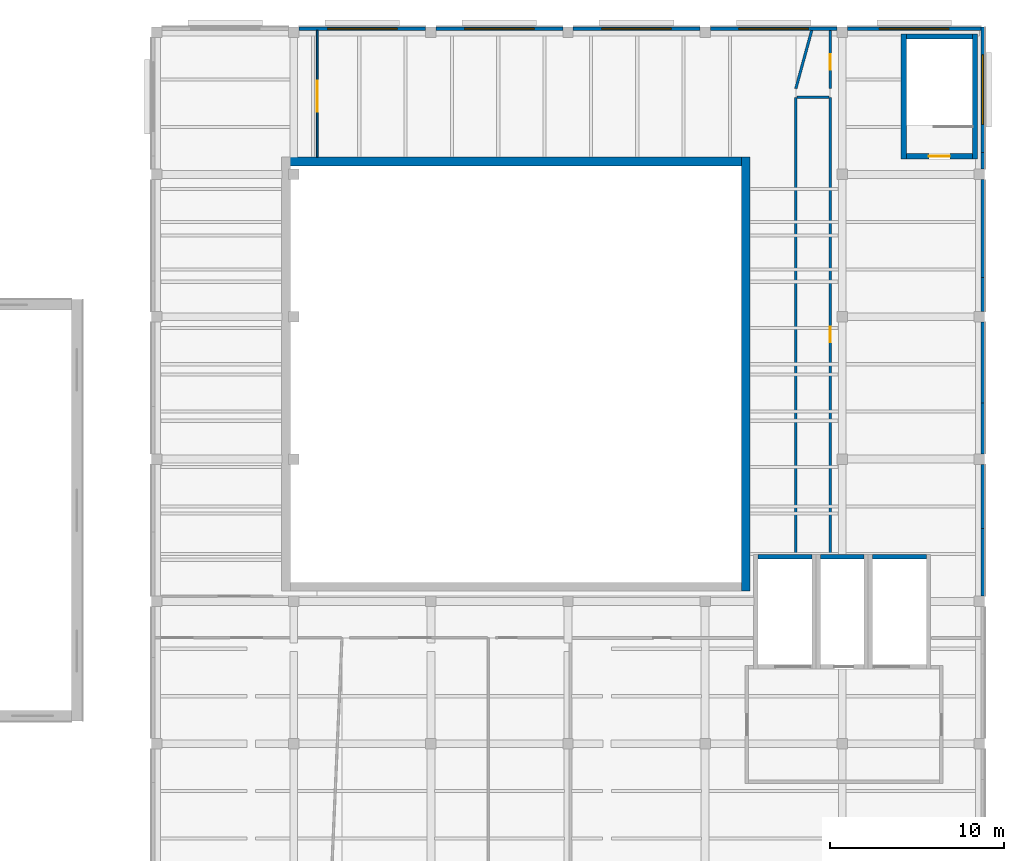
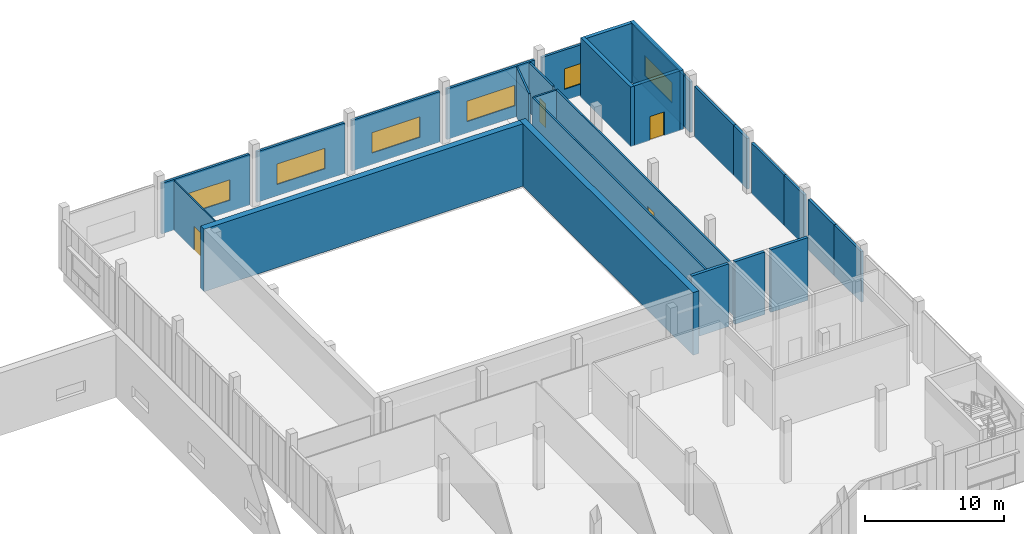
# One storey, part 46 of 87: 28 walls, 6 windows, 4 doors, 10 openings.
"""IFC4 building model written with IfcOpenShell, lengths in metres."""

from ifc_helpers import new_model, si_unit, direction, frame, frame_2d, origin, place, context, subcontext, project, spatial, rectangle, extrude, material, layer, layer_set, type_object, element, fill, save


model = new_model("IFC4")

# Units and contexts
model_context = context("Model", 3, precision=1e-05, world=origin(), true_north=direction((0.0, 1.0)))
body_context = subcontext(model_context, "Body", "Model", "MODEL_VIEW")
ifc_project = project(units=[si_unit("LENGTHUNIT", "METRE"), si_unit("AREAUNIT", "SQUARE_METRE"), si_unit("VOLUMEUNIT", "CUBIC_METRE"), si_unit("PLANEANGLEUNIT", "RADIAN"), si_unit("MASSUNIT", "GRAM", prefix="KILO")], contexts=[model_context])

# Site, building, storey
site_placement = place(None, origin())
site = spatial("IfcSite", under=ifc_project, at=site_placement, CompositionType="ELEMENT")
building_placement = place(site_placement, origin())
building = spatial("IfcBuilding", under=site, at=building_placement, Name="Lunette Opera House", CompositionType="ELEMENT")
storey_placement = place(building_placement, frame((0.0, 0.0, 11.5)))
storey = spatial("IfcBuildingStorey", under=building, at=storey_placement, Name="L02", CompositionType="ELEMENT", Elevation=11.5)

# Wall
ifc_material_1 = material(Name="Plastered clay blockwork", Category="masonry")
ifc_layer_1 = layer(ifc_material_1, 0.14990234375)
ifc_layer_set_1 = layer_set([ifc_layer_1], Name="Plastered clay blockwork")
wall_type_1 = type_object("IfcWallType", Name="BLOCK PARTITION 150", PredefinedType="PARTITIONING", material=ifc_layer_set_1)
wall_1_placement = place(storey_placement, frame((173.1298828125, 131.947021484375, 0.0), z_axis=(0.0, 0.0, 1.0), x_axis=(0.0, -1.0, 0.0)))
element("IfcWall", 1, at=wall_1_placement, inside=storey, type_object=wall_type_1, Name="Partition Workshop WC L02", PredefinedType="PARTITIONING", context=body_context, shape_type="SweptSolid", body=[
    extrude(rectangle(XDim=26.297119140625, YDim=0.14990234375, at=frame_2d((13.1484375, 0.0))), origin(), (0.0, 0.0, 1.0), 4.35009765625),
])

# Wall, opening, door
wall_2_placement = place(storey_placement, frame((175.10400390625, 105.64990234375, 0.0), z_axis=(0.0, 0.0, 1.0), x_axis=(0.0, 1.0, 0.0)))
wall_2 = element("IfcWall", 2, at=wall_2_placement, inside=storey, type_object=wall_type_1, Name="Partition Workshop WC L02", PredefinedType="PARTITIONING", context=body_context, shape_type="SweptSolid", body=[
    extrude(rectangle(XDim=26.297119140625, YDim=0.14990234375, at=frame_2d((13.1484375, 0.0))), origin(), (0.0, 0.0, 1.0), 4.35009765625),
])
opening_1_placement = place(wall_2_placement, frame((12.173095703125, 0.0, 0.0)))
opening_1 = element("IfcOpeningElement", 3, at=opening_1_placement, cuts=wall_2, Name="Opening WW-D3040", PredefinedType="OPENING", context=body_context, shape_type="SweptSolid", body=[
    extrude(rectangle(XDim=0.89990234375, YDim=2.10009765625, at=frame_2d((0.449951171875, 1.050048828125))), frame((0.0, 0.0869140625, 0.0), z_axis=(0.0, -1.0, 0.0), x_axis=(1.0, 0.0, 0.0)), (0.0, 0.0, 1.0), 0.173828125),
])
ifc_material_2 = material(Name="Timber", Category="wood")
door_type_1 = type_object("IfcDoorType", Name="FLUSH DOOR 900 X 2100", OperationType="SINGLE_SWING_LEFT", PredefinedType="DOOR", material=ifc_material_2)
door_1_placement = place(opening_1_placement, origin())
door_1 = element("IfcDoor", 4, at=door_1_placement, inside=storey, type_object=door_type_1, Name="Workshop WC L02 door", OperationType="SINGLE_SWING_LEFT", OverallHeight=2.10009765625, OverallWidth=0.89990234375, PredefinedType="DOOR", context=body_context, shape_type="SweptSolid", body=[
    extrude(rectangle(XDim=0.89990234375, YDim=2.10009765625, at=frame_2d((0.449951171875, 1.050048828125))), frame((0.0, 0.02490234375, 0.0), z_axis=(0.0, -1.0, 0.0), x_axis=(1.0, 0.0, 0.0)), (0.0, 0.0, 1.0), 0.050048828125),
])
fill(opening_1, door_1)

# Wall
wall_3_placement = place(storey_placement, frame((174.044921875, 135.800048828125, 0.0), z_axis=(0.0, 0.0, 1.0), x_axis=(-0.263271937706, -0.964721662873, 0.0)))
element("IfcWall", 5, at=wall_3_placement, inside=storey, type_object=wall_type_1, Name="Partition Accessible WC L02 Workshop", PredefinedType="PARTITIONING", context=body_context, shape_type="SweptSolid", body=[
    extrude(rectangle(XDim=3.4755859375, YDim=0.14990234375, at=frame_2d((1.73779296875, 0.0))), origin(), (0.0, 0.0, 1.0), 4.35009765625),
])

# Wall, opening, door
wall_4_placement = place(storey_placement, frame((175.10400390625, 132.447021484375, 0.0), z_axis=(0.0, 0.0, 1.0), x_axis=(0.0, 1.0, 0.0)))
wall_4 = element("IfcWall", 6, at=wall_4_placement, inside=storey, type_object=wall_type_1, Name="Partition Accessible WC L02 Workshop", PredefinedType="PARTITIONING", context=body_context, shape_type="SweptSolid", body=[
    extrude(rectangle(XDim=3.35302734375, YDim=0.14990234375, at=frame_2d((1.676513671875, 0.0))), origin(), (0.0, 0.0, 1.0), 4.35009765625),
])
opening_2_placement = place(wall_4_placement, frame((1.075927734375, 0.0, 0.0)))
opening_2 = element("IfcOpeningElement", 7, at=opening_2_placement, cuts=wall_4, Name="Opening WW-D3041", PredefinedType="OPENING", context=body_context, shape_type="SweptSolid", body=[
    extrude(rectangle(XDim=0.89990234375, YDim=2.10009765625, at=frame_2d((0.449951171875, 1.050048828125))), frame((0.0, 0.0869140625, 0.0), z_axis=(0.0, -1.0, 0.0), x_axis=(1.0, 0.0, 0.0)), (0.0, 0.0, 1.0), 0.173828125),
])
door_2_placement = place(opening_2_placement, origin())
door_2 = element("IfcDoor", 8, at=door_2_placement, inside=storey, type_object=door_type_1, Name="Accessible WC L02 Workshop door", OperationType="SINGLE_SWING_LEFT", OverallHeight=2.10009765625, OverallWidth=0.89990234375, PredefinedType="DOOR", context=body_context, shape_type="SweptSolid", body=[
    extrude(rectangle(XDim=0.89990234375, YDim=2.10009765625, at=frame_2d((0.449951171875, 1.050048828125))), frame((0.0, 0.02490234375, 0.0), z_axis=(0.0, -1.0, 0.0), x_axis=(1.0, 0.0, 0.0)), (0.0, 0.0, 1.0), 0.050048828125),
])
fill(opening_2, door_2)

# Walls
wall_5_placement = place(storey_placement, frame((175.029052734375, 131.947021484375, 0.0), z_axis=(0.0, 0.0, 1.0), x_axis=(-1.0, 0.0, 0.0)))
element("IfcWall", 9, at=wall_5_placement, inside=storey, type_object=wall_type_1, Name="Partition Workshop WC L02", PredefinedType="PARTITIONING", context=body_context, shape_type="SweptSolid", body=[
    extrude(rectangle(XDim=1.823974609375, YDim=0.14990234375, at=frame_2d((0.912109375, 0.0))), origin(), (0.0, 0.0, 1.0), 4.35009765625),
])
ifc_material_3 = material(Name="Concrete C35/45", Category="concrete")
ifc_layer_2 = layer(ifc_material_3, 0.25)
ifc_layer_set_2 = layer_set([ifc_layer_2], Name="Concrete C35/45")
wall_type_2 = type_object("IfcWallType", Name="RC LIFT SHAFT WALL 250", PredefinedType="SOLIDWALL", material=ifc_layer_set_2)
wall_6_placement = place(storey_placement, frame((177.050048828125, 105.47509765625, 0.0), z_axis=(0.0, 0.0, 1.0), x_axis=(-1.0, 0.0, 0.0)))
element("IfcWall", 10, at=wall_6_placement, inside=storey, type_object=wall_type_2, Name="LF6 shaft wall 2", PredefinedType="SOLIDWALL", context=body_context, shape_type="SweptSolid", body=[
    extrude(rectangle(XDim=2.5, YDim=0.25, at=frame_2d((1.25, 0.0))), origin(), (0.0, 0.0, 1.0), 5.5),
])
wall_7_placement = place(storey_placement, frame((174.050048828125, 105.47509765625, 0.0), z_axis=(0.0, 0.0, 1.0), x_axis=(-1.0, 0.0, 0.0)))
element("IfcWall", 11, at=wall_7_placement, inside=storey, type_object=wall_type_2, Name="LG2 shaft wall 2", PredefinedType="SOLIDWALL", context=body_context, shape_type="SweptSolid", body=[
    extrude(rectangle(XDim=3.10009765625, YDim=0.25, at=frame_2d((1.550048828125, 0.0))), origin(), (0.0, 0.0, 1.0), 5.5),
])
wall_8_placement = place(storey_placement, frame((180.64990234375, 105.47509765625, 0.0), z_axis=(0.0, 0.0, 1.0), x_axis=(-1.0, 0.0, 0.0)))
element("IfcWall", 12, at=wall_8_placement, inside=storey, type_object=wall_type_2, Name="LG3 shaft wall 2", PredefinedType="SOLIDWALL", context=body_context, shape_type="SweptSolid", body=[
    extrude(rectangle(XDim=3.099853515625, YDim=0.25, at=frame_2d((1.5498046875, 0.0))), origin(), (0.0, 0.0, 1.0), 5.5),
])
ifc_material_4 = material(Name="Concrete C35/45", Category="concrete")
ifc_layer_3 = layer(ifc_material_4, 0.300048828125)
ifc_layer_set_3 = layer_set([ifc_layer_3], Name="Concrete C35/45")
wall_type_3 = type_object("IfcWallType", Name="RC STAIR ENCLOSURE WALL 300", PredefinedType="SOLIDWALL", material=ifc_layer_set_3)
wall_9_placement = place(storey_placement, frame((183.449951171875, 128.39990234375, 0.0), z_axis=(0.0, 0.0, 1.0), x_axis=(0.0, 1.0, 0.0)))
element("IfcWall", 13, at=wall_9_placement, inside=storey, type_object=wall_type_3, Name="ST19 enclosure wall 1", PredefinedType="SOLIDWALL", context=body_context, shape_type="SweptSolid", body=[
    extrude(rectangle(XDim=7.2001953125, YDim=0.300048828125, at=frame_2d((3.60009765625, 0.0))), origin(), (0.0, 0.0, 1.0), 5.25),
])
wall_10_placement = place(storey_placement, frame((183.300048828125, 135.449951171875, 0.0), z_axis=(0.0, 0.0, 1.0), x_axis=(-1.0, 0.0, 0.0)))
element("IfcWall", 14, at=wall_10_placement, inside=storey, type_object=wall_type_3, Name="ST19 enclosure wall 2", PredefinedType="SOLIDWALL", context=body_context, shape_type="SweptSolid", body=[
    extrude(rectangle(XDim=3.800048828125, YDim=0.300048828125, at=frame_2d((1.89990234375, 0.0))), origin(), (0.0, 0.0, 1.0), 5.25),
])
wall_11_placement = place(storey_placement, frame((179.35009765625, 135.60009765625, 0.0), z_axis=(0.0, 0.0, 1.0), x_axis=(0.0, -1.0, 0.0)))
element("IfcWall", 15, at=wall_11_placement, inside=storey, type_object=wall_type_3, Name="ST19 enclosure wall 3", PredefinedType="SOLIDWALL", context=body_context, shape_type="SweptSolid", body=[
    extrude(rectangle(XDim=7.2001953125, YDim=0.300048828125, at=frame_2d((3.60009765625, 0.0))), origin(), (0.0, 0.0, 1.0), 5.25),
])

# Wall, opening, door
wall_12_placement = place(storey_placement, frame((179.5, 128.550048828125, 0.0), z_axis=(0.0, 0.0, 1.0), x_axis=(1.0, 0.0, 0.0)))
wall_12 = element("IfcWall", 16, at=wall_12_placement, inside=storey, type_object=wall_type_3, Name="ST19 enclosure wall 4", PredefinedType="SOLIDWALL", context=body_context, shape_type="SweptSolid", body=[
    extrude(rectangle(XDim=3.800048828125, YDim=0.300048828125, at=frame_2d((1.89990234375, 0.0))), origin(), (0.0, 0.0, 1.0), 5.25),
])
opening_3_placement = place(wall_12_placement, frame((1.300048828125, 0.0, 0.0)))
opening_3 = element("IfcOpeningElement", 17, at=opening_3_placement, cuts=wall_12, Name="Opening WW-D7009", PredefinedType="OPENING", context=body_context, shape_type="SweptSolid", body=[
    extrude(rectangle(XDim=1.199951171875, YDim=2.10009765625, at=frame_2d((0.60009765625, 1.050048828125))), frame((0.0, 0.162109375, 0.0), z_axis=(0.0, -1.0, 0.0), x_axis=(1.0, 0.0, 0.0)), (0.0, 0.0, 1.0), 0.323974609375),
])
ifc_material_5 = material(Name="Steel", Category="steel")
door_type_2 = type_object("IfcDoorType", Name="FIRE DOOR 1200 X 2100", OperationType="SINGLE_SWING_LEFT", PredefinedType="DOOR", material=ifc_material_5)
door_3_placement = place(opening_3_placement, origin())
door_3 = element("IfcDoor", 18, at=door_3_placement, inside=storey, type_object=door_type_2, Name="ST19 stair door", OperationType="SINGLE_SWING_LEFT", OverallHeight=2.10009765625, OverallWidth=1.199951171875, PredefinedType="DOOR", context=body_context, shape_type="SweptSolid", body=[
    extrude(rectangle(XDim=1.199951171875, YDim=2.10009765625, at=frame_2d((0.60009765625, 1.050048828125))), frame((0.0, 0.02490234375, 0.0), z_axis=(0.0, -1.0, 0.0), x_axis=(1.0, 0.0, 0.0)), (0.0, 0.0, 1.0), 0.050048828125),
])
fill(opening_3, door_3)

# Walls
ifc_material_6 = material(Name="Concrete C35/45", Category="concrete")
ifc_layer_4 = layer(ifc_material_6, 0.5)
ifc_layer_set_4 = layer_set([ifc_layer_4], Name="Concrete C35/45")
wall_type_4 = type_object("IfcWallType", Name="RC WALL 500", PredefinedType="SHEAR", material=ifc_layer_set_4)
wall_13_placement = place(storey_placement, frame((143.5, 128.25, 0.0), z_axis=(0.0, 0.0, 1.0), x_axis=(1.0, 0.0, 0.0)))
element("IfcWall", 19, at=wall_13_placement, inside=storey, type_object=wall_type_4, Name="wall-WW-L02-PH-N-1", PredefinedType="SHEAR", context=body_context, shape_type="SweptSolid", body=[
    extrude(rectangle(XDim=27.0, YDim=0.5, at=frame_2d((13.5, 0.0))), origin(), (0.0, 0.0, 1.0), 5.5),
])
wall_14_placement = place(storey_placement, frame((170.25, 103.5, 0.0), z_axis=(0.0, 0.0, 1.0), x_axis=(0.0, 1.0, 0.0)))
element("IfcWall", 20, at=wall_14_placement, inside=storey, type_object=wall_type_4, Name="wall-WW-L02-PH-E-1", PredefinedType="SHEAR", context=body_context, shape_type="SweptSolid", body=[
    extrude(rectangle(XDim=25.0, YDim=0.5, at=frame_2d((12.5, 0.0))), origin(), (0.0, 0.0, 1.0), 5.5),
])

# Wall, opening, door
ifc_material_7 = material(Name="Gypsum board on steel studs", Category="steel")
ifc_layer_5 = layer(ifc_material_7, 0.10009765625)
ifc_layer_set_5 = layer_set([ifc_layer_5], Name="Gypsum board on steel studs")
wall_type_5 = type_object("IfcWallType", Name="STUD PARTITION 100", PredefinedType="PARTITIONING", material=ifc_layer_set_5)
wall_15_placement = place(storey_placement, frame((145.5458984375, 135.800048828125, 0.0), z_axis=(0.0, 0.0, 1.0), x_axis=(0.0, -1.0, 0.0)))
wall_15 = element("IfcWall", 21, at=wall_15_placement, inside=storey, type_object=wall_type_5, Name="Partition Paint Frame Gallery", PredefinedType="PARTITIONING", context=body_context, shape_type="SweptSolid", body=[
    extrude(rectangle(XDim=7.300048828125, YDim=0.10009765625, at=frame_2d((3.64990234375, 0.0))), origin(), (0.0, 0.0, 1.0), 4.35009765625),
])
opening_4_placement = place(wall_15_placement, frame((2.89990234375, 0.0, 0.0)))
opening_4 = element("IfcOpeningElement", 22, at=opening_4_placement, cuts=wall_15, Name="Opening WW-D3037", PredefinedType="OPENING", context=body_context, shape_type="SweptSolid", body=[
    extrude(rectangle(XDim=1.800048828125, YDim=2.10009765625, at=frame_2d((0.89990234375, 1.050048828125))), frame((0.0, 0.06201171875, 0.0), z_axis=(0.0, -1.0, 0.0), x_axis=(1.0, 0.0, 0.0)), (0.0, 0.0, 1.0), 0.1240234375),
])
ifc_material_8 = material(Name="Timber", Category="wood")
door_type_3 = type_object("IfcDoorType", Name="DOUBLE FLUSH DOOR 1800 X 2100", OperationType="DOUBLE_DOOR_SINGLE_SWING", PredefinedType="DOOR", material=ifc_material_8)
door_4_placement = place(opening_4_placement, origin())
door_4 = element("IfcDoor", 23, at=door_4_placement, inside=storey, type_object=door_type_3, Name="Paint Frame Gallery door", OperationType="DOUBLE_DOOR_SINGLE_SWING", OverallHeight=2.10009765625, OverallWidth=1.800048828125, PredefinedType="DOOR", context=body_context, shape_type="SweptSolid", body=[
    extrude(rectangle(XDim=1.800048828125, YDim=2.10009765625, at=frame_2d((0.89990234375, 1.050048828125))), frame((0.0, 0.02490234375, 0.0), z_axis=(0.0, -1.0, 0.0), x_axis=(1.0, 0.0, 0.0)), (0.0, 0.0, 1.0), 0.050048828125),
])
fill(opening_4, door_4)

# Walls
ifc_material_9 = material(Name="Insulated aluminium sandwich panel", Category="aluminium")
ifc_layer_6 = layer(ifc_material_9, 0.199951171875)
ifc_layer_set_6 = layer_set([ifc_layer_6], Name="Insulated aluminium sandwich panel")
wall_type_6 = type_object("IfcWallType", Name="WORKSHOP METAL PANEL WALL 200", PredefinedType="SOLIDWALL", material=ifc_layer_set_6)
wall_16_placement = place(storey_placement, frame((183.89990234375, 103.199951171875, 0.0), z_axis=(0.0, 0.0, 1.0), x_axis=(0.0, 1.0, 0.0)))
element("IfcWall", 24, at=wall_16_placement, inside=storey, type_object=wall_type_6, Name="Workshop Metal Panel Wall 200 F04-2 L02", PredefinedType="SOLIDWALL", context=body_context, shape_type="SweptSolid", body=[
    extrude(rectangle(XDim=3.900146484375, YDim=0.199951171875, at=frame_2d((1.9501953125, 0.0))), origin(), (0.0, 0.0, 1.0), 4.449951171875),
])
wall_17_placement = place(storey_placement, frame((183.89990234375, 107.10009765625, 0.0), z_axis=(0.0, 0.0, 1.0), x_axis=(0.0, 1.0, 0.0)))
element("IfcWall", 25, at=wall_17_placement, inside=storey, type_object=wall_type_6, Name="Workshop Metal Panel Wall 200 F05-1 L02", PredefinedType="SOLIDWALL", context=body_context, shape_type="SweptSolid", body=[
    extrude(rectangle(XDim=3.699951171875, YDim=0.199951171875, at=frame_2d((1.85009765625, 0.0))), origin(), (0.0, 0.0, 1.0), 4.449951171875),
])
wall_18_placement = place(storey_placement, frame((183.89990234375, 111.39990234375, 0.0), z_axis=(0.0, 0.0, 1.0), x_axis=(0.0, 1.0, 0.0)))
element("IfcWall", 26, at=wall_18_placement, inside=storey, type_object=wall_type_6, Name="Workshop Metal Panel Wall 200 F05-2 L02", PredefinedType="SOLIDWALL", context=body_context, shape_type="SweptSolid", body=[
    extrude(rectangle(XDim=2.925048828125, YDim=0.199951171875, at=frame_2d((1.46240234375, 0.0))), origin(), (0.0, 0.0, 1.0), 4.449951171875),
])
wall_19_placement = place(storey_placement, frame((183.89990234375, 114.324951171875, 0.0), z_axis=(0.0, 0.0, 1.0), x_axis=(0.0, 1.0, 0.0)))
element("IfcWall", 27, at=wall_19_placement, inside=storey, type_object=wall_type_6, Name="Workshop Metal Panel Wall 200 F06-1 L02", PredefinedType="SOLIDWALL", context=body_context, shape_type="SweptSolid", body=[
    extrude(rectangle(XDim=4.675048828125, YDim=0.199951171875, at=frame_2d((2.33740234375, 0.0))), origin(), (0.0, 0.0, 1.0), 4.449951171875),
])
wall_20_placement = place(storey_placement, frame((183.89990234375, 119.60009765625, 0.0), z_axis=(0.0, 0.0, 1.0), x_axis=(0.0, 1.0, 0.0)))
element("IfcWall", 28, at=wall_20_placement, inside=storey, type_object=wall_type_6, Name="Workshop Metal Panel Wall 200 F06-2 L02", PredefinedType="SOLIDWALL", context=body_context, shape_type="SweptSolid", body=[
    extrude(rectangle(XDim=1.949951171875, YDim=0.199951171875, at=frame_2d((0.97509765625, 0.0))), origin(), (0.0, 0.0, 1.0), 4.449951171875),
])
wall_21_placement = place(storey_placement, frame((183.89990234375, 121.550048828125, 0.0), z_axis=(0.0, 0.0, 1.0), x_axis=(0.0, 1.0, 0.0)))
element("IfcWall", 29, at=wall_21_placement, inside=storey, type_object=wall_type_6, Name="Workshop Metal Panel Wall 200 F07-1 L02", PredefinedType="SOLIDWALL", context=body_context, shape_type="SweptSolid", body=[
    extrude(rectangle(XDim=5.64990234375, YDim=0.199951171875, at=frame_2d((2.824951171875, 0.0))), origin(), (0.0, 0.0, 1.0), 4.449951171875),
])
wall_22_placement = place(storey_placement, frame((183.89990234375, 127.800048828125, 0.0), z_axis=(0.0, 0.0, 1.0), x_axis=(0.0, 1.0, 0.0)))
element("IfcWall", 30, at=wall_22_placement, inside=storey, type_object=wall_type_6, Name="Workshop Metal Panel Wall 200 F07-2 L02", PredefinedType="SOLIDWALL", context=body_context, shape_type="SweptSolid", body=[
    extrude(rectangle(XDim=0.974853515625, YDim=0.199951171875, at=frame_2d((0.4873046875, 0.0))), origin(), (0.0, 0.0, 1.0), 4.449951171875),
])

# Wall, opening, window
wall_23_placement = place(storey_placement, frame((183.89990234375, 128.77490234375, 0.0), z_axis=(0.0, 0.0, 1.0), x_axis=(0.0, 1.0, 0.0)))
wall_23 = element("IfcWall", 31, at=wall_23_placement, inside=storey, type_object=wall_type_6, Name="Workshop Metal Panel Wall 200 F08 L02", PredefinedType="SOLIDWALL", context=body_context, shape_type="SweptSolid", body=[
    extrude(rectangle(XDim=7.22509765625, YDim=0.199951171875, at=frame_2d((3.612548828125, 0.0))), origin(), (0.0, 0.0, 1.0), 4.449951171875),
])
opening_5_placement = place(wall_23_placement, frame((1.612060546875, 0.0, 1.0)))
opening_5 = element("IfcOpeningElement", 32, at=opening_5_placement, cuts=wall_23, Name="Opening WW-N2018", PredefinedType="OPENING", context=body_context, shape_type="SweptSolid", body=[
    extrude(rectangle(XDim=4.0, YDim=1.800048828125, at=frame_2d((2.0, 0.89990234375))), frame((0.0, 0.112060546875, 0.0), z_axis=(0.0, -1.0, 0.0), x_axis=(1.0, 0.0, 0.0)), (0.0, 0.0, 1.0), 0.223876953125),
])
ifc_material_10 = material(Name="Aluminium", Category="aluminium")
window_type = type_object("IfcWindowType", Name="WORKSHOP RIBBON WINDOW 4000 X 1800", PartitioningType="DOUBLE_PANEL_VERTICAL", PredefinedType="WINDOW", material=ifc_material_10)
window_1_placement = place(opening_5_placement, origin())
window_1 = element("IfcWindow", 33, at=window_1_placement, inside=storey, type_object=window_type, Name="Workshop Ribbon Window 4000 X 1800 F08 L02", OverallHeight=1.800048828125, OverallWidth=4.0, PartitioningType="DOUBLE_PANEL_VERTICAL", PredefinedType="WINDOW", context=body_context, shape_type="SweptSolid", body=[
    extrude(rectangle(XDim=4.0, YDim=1.800048828125, at=frame_2d((2.0, 0.89990234375))), frame((0.0, 0.030029296875, 0.0), z_axis=(0.0, -1.0, 0.0), x_axis=(1.0, 0.0, 0.0)), (0.0, 0.0, 1.0), 0.06005859375),
])
fill(opening_5, window_1)

wall_24_placement = place(storey_placement, frame((183.800048828125, 135.89990234375, 0.0), z_axis=(0.0, 0.0, 1.0), x_axis=(-1.0, 0.0, 0.0)))
wall_24 = element("IfcWall", 34, at=wall_24_placement, inside=storey, type_object=wall_type_6, Name="Workshop Metal Panel Wall 200 F09 L02", PredefinedType="SOLIDWALL", context=body_context, shape_type="SweptSolid", body=[
    extrude(rectangle(XDim=7.699951171875, YDim=0.199951171875, at=frame_2d((3.85009765625, 0.0))), origin(), (0.0, 0.0, 1.0), 4.449951171875),
])
opening_6_placement = place(wall_24_placement, frame((1.85009765625, 0.0, 1.0)))
opening_6 = element("IfcOpeningElement", 35, at=opening_6_placement, cuts=wall_24, Name="Opening WW-N2019", PredefinedType="OPENING", context=body_context, shape_type="SweptSolid", body=[
    extrude(rectangle(XDim=4.0, YDim=1.800048828125, at=frame_2d((2.0, 0.89990234375))), frame((0.0, 0.112060546875, 0.0), z_axis=(0.0, -1.0, 0.0), x_axis=(1.0, 0.0, 0.0)), (0.0, 0.0, 1.0), 0.223876953125),
])
window_2_placement = place(opening_6_placement, origin())
window_2 = element("IfcWindow", 36, at=window_2_placement, inside=storey, type_object=window_type, Name="Workshop Ribbon Window 4000 X 1800 F09 L02", OverallHeight=1.800048828125, OverallWidth=4.0, PartitioningType="DOUBLE_PANEL_VERTICAL", PredefinedType="WINDOW", context=body_context, shape_type="SweptSolid", body=[
    extrude(rectangle(XDim=4.0, YDim=1.800048828125, at=frame_2d((2.0, 0.89990234375))), frame((0.0, 0.030029296875, 0.0), z_axis=(0.0, -1.0, 0.0), x_axis=(1.0, 0.0, 0.0)), (0.0, 0.0, 1.0), 0.06005859375),
])
fill(opening_6, window_2)

wall_25_placement = place(storey_placement, frame((175.5, 135.89990234375, 0.0), z_axis=(0.0, 0.0, 1.0), x_axis=(-1.0, 0.0, 0.0)))
wall_25 = element("IfcWall", 37, at=wall_25_placement, inside=storey, type_object=wall_type_6, Name="Workshop Metal Panel Wall 200 F10 L02", PredefinedType="SOLIDWALL", context=body_context, shape_type="SweptSolid", body=[
    extrude(rectangle(XDim=7.300048828125, YDim=0.199951171875, at=frame_2d((3.64990234375, 0.0))), origin(), (0.0, 0.0, 1.0), 4.449951171875),
])
opening_7_placement = place(wall_25_placement, frame((1.64990234375, 0.0, 1.0)))
opening_7 = element("IfcOpeningElement", 38, at=opening_7_placement, cuts=wall_25, Name="Opening WW-N2020", PredefinedType="OPENING", context=body_context, shape_type="SweptSolid", body=[
    extrude(rectangle(XDim=4.0, YDim=1.800048828125, at=frame_2d((2.0, 0.89990234375))), frame((0.0, 0.112060546875, 0.0), z_axis=(0.0, -1.0, 0.0), x_axis=(1.0, 0.0, 0.0)), (0.0, 0.0, 1.0), 0.223876953125),
])
window_3_placement = place(opening_7_placement, origin())
window_3 = element("IfcWindow", 39, at=window_3_placement, inside=storey, type_object=window_type, Name="Workshop Ribbon Window 4000 X 1800 F10 L02", OverallHeight=1.800048828125, OverallWidth=4.0, PartitioningType="DOUBLE_PANEL_VERTICAL", PredefinedType="WINDOW", context=body_context, shape_type="SweptSolid", body=[
    extrude(rectangle(XDim=4.0, YDim=1.800048828125, at=frame_2d((2.0, 0.89990234375))), frame((0.0, 0.030029296875, 0.0), z_axis=(0.0, -1.0, 0.0), x_axis=(1.0, 0.0, 0.0)), (0.0, 0.0, 1.0), 0.06005859375),
])
fill(opening_7, window_3)

wall_26_placement = place(storey_placement, frame((167.60009765625, 135.89990234375, 0.0), z_axis=(0.0, 0.0, 1.0), x_axis=(-1.0, 0.0, 0.0)))
wall_26 = element("IfcWall", 40, at=wall_26_placement, inside=storey, type_object=wall_type_6, Name="Workshop Metal Panel Wall 200 F11 L02", PredefinedType="SOLIDWALL", context=body_context, shape_type="SweptSolid", body=[
    extrude(rectangle(XDim=7.300048828125, YDim=0.199951171875, at=frame_2d((3.64990234375, 0.0))), origin(), (0.0, 0.0, 1.0), 4.449951171875),
])
opening_8_placement = place(wall_26_placement, frame((1.64990234375, 0.0, 1.0)))
opening_8 = element("IfcOpeningElement", 41, at=opening_8_placement, cuts=wall_26, Name="Opening WW-N2021", PredefinedType="OPENING", context=body_context, shape_type="SweptSolid", body=[
    extrude(rectangle(XDim=4.0, YDim=1.800048828125, at=frame_2d((2.0, 0.89990234375))), frame((0.0, 0.112060546875, 0.0), z_axis=(0.0, -1.0, 0.0), x_axis=(1.0, 0.0, 0.0)), (0.0, 0.0, 1.0), 0.223876953125),
])
window_4_placement = place(opening_8_placement, origin())
window_4 = element("IfcWindow", 42, at=window_4_placement, inside=storey, type_object=window_type, Name="Workshop Ribbon Window 4000 X 1800 F11 L02", OverallHeight=1.800048828125, OverallWidth=4.0, PartitioningType="DOUBLE_PANEL_VERTICAL", PredefinedType="WINDOW", context=body_context, shape_type="SweptSolid", body=[
    extrude(rectangle(XDim=4.0, YDim=1.800048828125, at=frame_2d((2.0, 0.89990234375))), frame((0.0, 0.030029296875, 0.0), z_axis=(0.0, -1.0, 0.0), x_axis=(1.0, 0.0, 0.0)), (0.0, 0.0, 1.0), 0.06005859375),
])
fill(opening_8, window_4)

wall_27_placement = place(storey_placement, frame((159.699951171875, 135.89990234375, 0.0), z_axis=(0.0, 0.0, 1.0), x_axis=(-1.0, 0.0, 0.0)))
wall_27 = element("IfcWall", 43, at=wall_27_placement, inside=storey, type_object=wall_type_6, Name="Workshop Metal Panel Wall 200 F12 L02", PredefinedType="SOLIDWALL", context=body_context, shape_type="SweptSolid", body=[
    extrude(rectangle(XDim=7.300048828125, YDim=0.199951171875, at=frame_2d((3.64990234375, 0.0))), origin(), (0.0, 0.0, 1.0), 4.449951171875),
])
opening_9_placement = place(wall_27_placement, frame((1.64990234375, 0.0, 1.0)))
opening_9 = element("IfcOpeningElement", 44, at=opening_9_placement, cuts=wall_27, Name="Opening WW-N2022", PredefinedType="OPENING", context=body_context, shape_type="SweptSolid", body=[
    extrude(rectangle(XDim=4.0, YDim=1.800048828125, at=frame_2d((2.0, 0.89990234375))), frame((0.0, 0.112060546875, 0.0), z_axis=(0.0, -1.0, 0.0), x_axis=(1.0, 0.0, 0.0)), (0.0, 0.0, 1.0), 0.223876953125),
])
window_5_placement = place(opening_9_placement, origin())
window_5 = element("IfcWindow", 45, at=window_5_placement, inside=storey, type_object=window_type, Name="Workshop Ribbon Window 4000 X 1800 F12 L02", OverallHeight=1.800048828125, OverallWidth=4.0, PartitioningType="DOUBLE_PANEL_VERTICAL", PredefinedType="WINDOW", context=body_context, shape_type="SweptSolid", body=[
    extrude(rectangle(XDim=4.0, YDim=1.800048828125, at=frame_2d((2.0, 0.89990234375))), frame((0.0, 0.030029296875, 0.0), z_axis=(0.0, -1.0, 0.0), x_axis=(1.0, 0.0, 0.0)), (0.0, 0.0, 1.0), 0.06005859375),
])
fill(opening_9, window_5)

wall_28_placement = place(storey_placement, frame((151.800048828125, 135.89990234375, 0.0), z_axis=(0.0, 0.0, 1.0), x_axis=(-1.0, 0.0, 0.0)))
wall_28 = element("IfcWall", 46, at=wall_28_placement, inside=storey, type_object=wall_type_6, Name="Workshop Metal Panel Wall 200 F13 L02", PredefinedType="SOLIDWALL", context=body_context, shape_type="SweptSolid", body=[
    extrude(rectangle(XDim=7.300048828125, YDim=0.199951171875, at=frame_2d((3.64990234375, 0.0))), origin(), (0.0, 0.0, 1.0), 4.449951171875),
])
opening_10_placement = place(wall_28_placement, frame((1.64990234375, 0.0, 1.0)))
opening_10 = element("IfcOpeningElement", 47, at=opening_10_placement, cuts=wall_28, Name="Opening WW-N2023", PredefinedType="OPENING", context=body_context, shape_type="SweptSolid", body=[
    extrude(rectangle(XDim=4.0, YDim=1.800048828125, at=frame_2d((2.0, 0.89990234375))), frame((0.0, 0.112060546875, 0.0), z_axis=(0.0, -1.0, 0.0), x_axis=(1.0, 0.0, 0.0)), (0.0, 0.0, 1.0), 0.223876953125),
])
window_6_placement = place(opening_10_placement, origin())
window_6 = element("IfcWindow", 48, at=window_6_placement, inside=storey, type_object=window_type, Name="Workshop Ribbon Window 4000 X 1800 F13 L02", OverallHeight=1.800048828125, OverallWidth=4.0, PartitioningType="DOUBLE_PANEL_VERTICAL", PredefinedType="WINDOW", context=body_context, shape_type="SweptSolid", body=[
    extrude(rectangle(XDim=4.0, YDim=1.800048828125, at=frame_2d((2.0, 0.89990234375))), frame((0.0, 0.030029296875, 0.0), z_axis=(0.0, -1.0, 0.0), x_axis=(1.0, 0.0, 0.0)), (0.0, 0.0, 1.0), 0.06005859375),
])
fill(opening_10, window_6)

save(model, "model.ifc")
